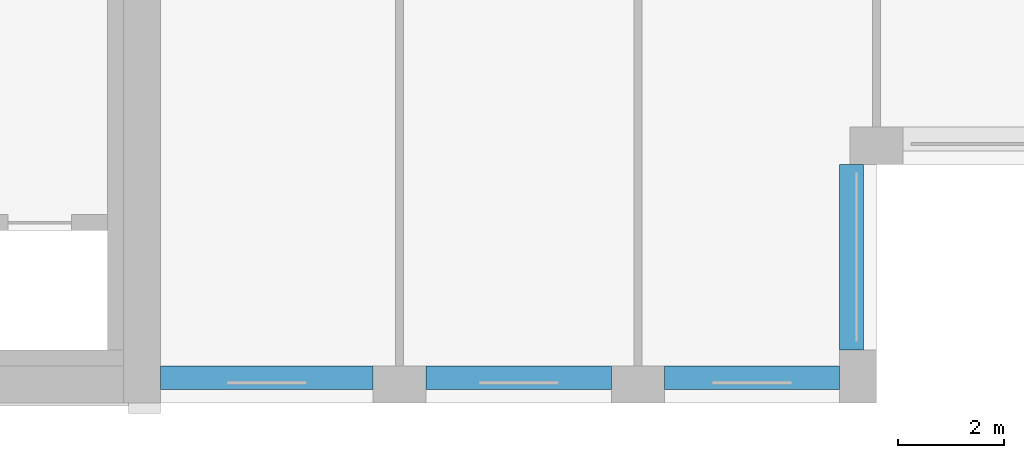
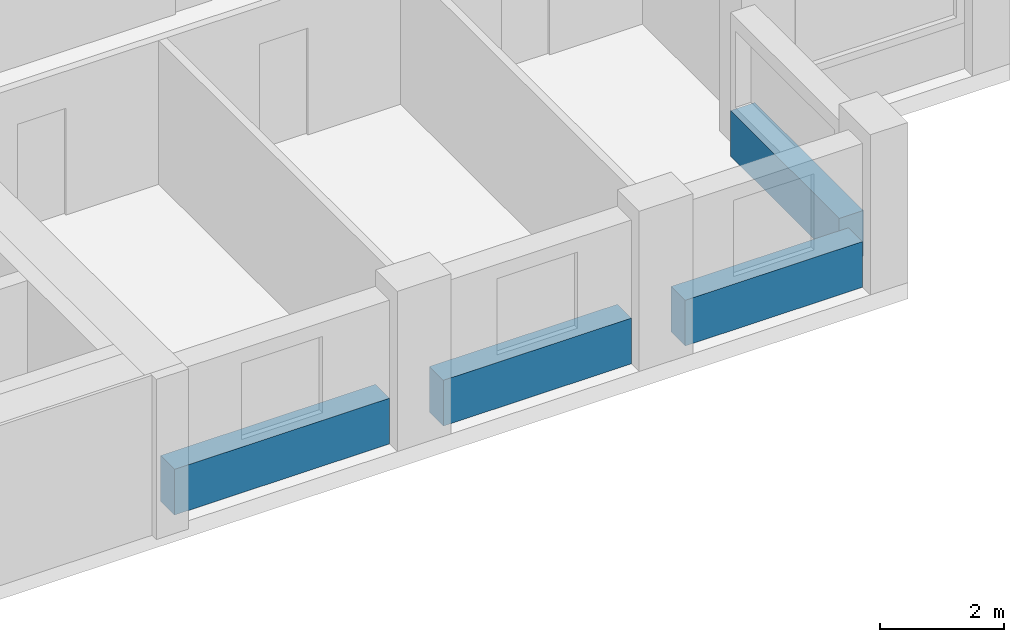
# One storey, part 3 of 15: 4 beams.
"""IFC4 building model written with IfcOpenShell, lengths in metres."""

from ifc_helpers import new_model, si_unit, direction, frame, origin, origin_2d, place, context, subcontext, project, spatial, rectangle, extrude, material, material_profile, profile_set, type_object, element, save


model = new_model("IFC4")

# Units and contexts
model_context = context("Model", 3, precision=1e-05, world=origin(), true_north=direction((0.0, 1.0)))
body_context = subcontext(model_context, "Body", "Model", "MODEL_VIEW")
ifc_project = project(units=[si_unit("LENGTHUNIT", "METRE"), si_unit("AREAUNIT", "SQUARE_METRE"), si_unit("VOLUMEUNIT", "CUBIC_METRE"), si_unit("PLANEANGLEUNIT", "RADIAN"), si_unit("MASSUNIT", "GRAM", prefix="KILO")], contexts=[model_context])

# Site, building, storey
site_placement = place(None, origin())
site = spatial("IfcSite", under=ifc_project, at=site_placement, CompositionType="ELEMENT")
building_placement = place(site_placement, origin())
building = spatial("IfcBuilding", under=site, at=building_placement, Name="Brigalow Station Residences", CompositionType="ELEMENT")
storey_placement = place(building_placement, frame((0.0, 0.0, 147.60009765625)))
storey = spatial("IfcBuildingStorey", under=building, at=storey_placement, Name="L42", CompositionType="ELEMENT", Elevation=147.60009765625)

# Beams
ifc_material = material(Name="Concrete C50", Category="concrete")
ifc_material_profile = material_profile(ifc_material, rectangle(XDim=0.449951171875, YDim=0.89990234375, at=origin_2d()), Name="RC450x900")
ifc_profile_set = profile_set([ifc_material_profile], Name="Concrete C50")
beam_type = type_object("IfcBeamType", Name="SPANDREL BEAM 450x900 C50", PredefinedType="SPANDREL", material=ifc_profile_set)
beam_1_placement = place(storey_placement, frame((54.0, 0.47509765625, 0.449951171875), z_axis=(1.0, 0.0, 0.0), x_axis=(0.0, 1.0, 0.0)))
element("IfcBeam", 1, at=beam_1_placement, inside=storey, type_object=beam_type, Name="L42/spandrel/W-L42-4", PredefinedType="SPANDREL", context=body_context, shape_type="SweptSolid", body=[
    extrude(rectangle(XDim=0.449951171875, YDim=0.89990234375, at=origin_2d()), origin(), (0.0, 0.0, 1.0), 4.0),
])
beam_2_placement = place(storey_placement, frame((59.0, 0.47509765625, 0.449951171875), z_axis=(1.0, 0.0, 0.0), x_axis=(0.0, 1.0, 0.0)))
element("IfcBeam", 2, at=beam_2_placement, inside=storey, type_object=beam_type, Name="L42/spandrel/W-L42-5", PredefinedType="SPANDREL", context=body_context, shape_type="SweptSolid", body=[
    extrude(rectangle(XDim=0.449951171875, YDim=0.89990234375, at=origin_2d()), origin(), (0.0, 0.0, 1.0), 3.5),
])
beam_3_placement = place(storey_placement, frame((63.5, 0.47509765625, 0.449951171875), z_axis=(1.0, 0.0, 0.0), x_axis=(0.0, 1.0, 0.0)))
element("IfcBeam", 3, at=beam_3_placement, inside=storey, type_object=beam_type, Name="L42/spandrel/W-L42-6", PredefinedType="SPANDREL", context=body_context, shape_type="SweptSolid", body=[
    extrude(rectangle(XDim=0.449951171875, YDim=0.89990234375, at=origin_2d()), origin(), (0.0, 0.0, 1.0), 3.300048828125),
])
beam_4_placement = place(storey_placement, frame((67.02490234375, 1.0, 0.449951171875), z_axis=(0.0, 1.0, 0.0), x_axis=(-1.0, 0.0, 0.0)))
element("IfcBeam", 4, at=beam_4_placement, inside=storey, type_object=beam_type, Name="L42/spandrel/W-L42-7", PredefinedType="SPANDREL", context=body_context, shape_type="SweptSolid", body=[
    extrude(rectangle(XDim=0.449951171875, YDim=0.89990234375, at=origin_2d()), origin(), (0.0, 0.0, 1.0), 3.5),
])

save(model, "model.ifc")
